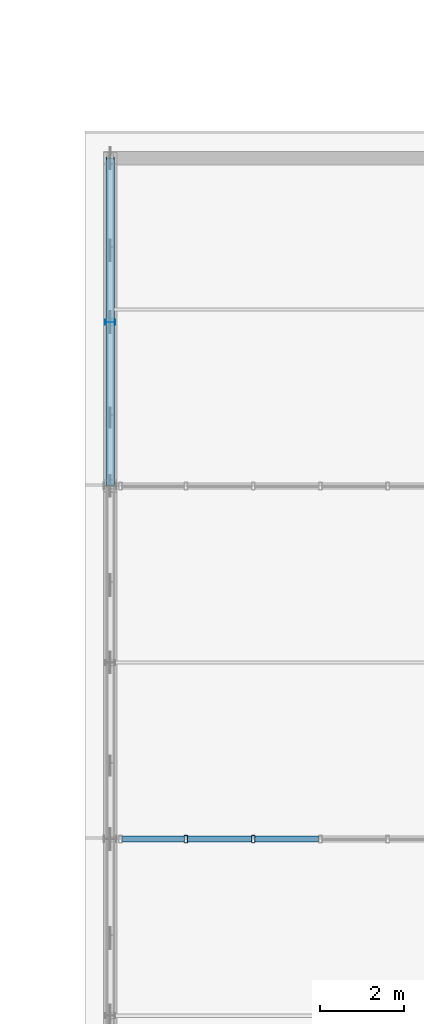
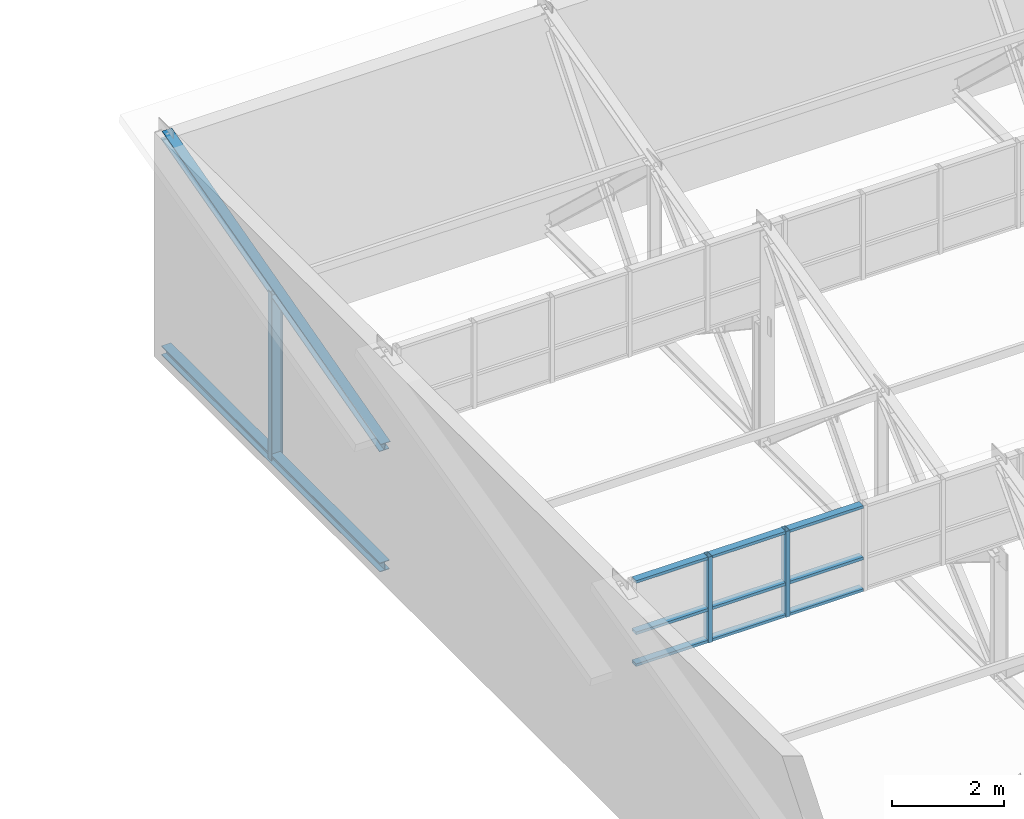
# One storey, part 71 of 123: 14 members, 1 element without a shape of its own.
"""IFC4 building model written with IfcOpenShell, lengths in metres."""

from ifc_helpers import new_model, si_unit, direction, frame, origin, origin_2d, place, context, subcontext, project, spatial, hollow_rectangle, i_section, extrude, material, layer, layer_set, material_profile, profile_set, type_object, element, aggregate, save


model = new_model("IFC4")

# Units and contexts
model_context = context("Model", 3, precision=1e-05, world=origin(), true_north=direction((0.0, 1.0)))
body_context = subcontext(model_context, "Body", "Model", "MODEL_VIEW")
ifc_project = project(units=[si_unit("LENGTHUNIT", "METRE"), si_unit("AREAUNIT", "SQUARE_METRE"), si_unit("VOLUMEUNIT", "CUBIC_METRE"), si_unit("PLANEANGLEUNIT", "RADIAN"), si_unit("MASSUNIT", "GRAM", prefix="KILO")], contexts=[model_context])

# Site, building, storey
site_placement = place(None, origin())
site = spatial("IfcSite", under=ifc_project, at=site_placement, CompositionType="ELEMENT")
building_placement = place(site_placement, origin())
building = spatial("IfcBuilding", under=site, at=building_placement, Name="Zayran Congress Hotel", CompositionType="ELEMENT")
storey_placement = place(building_placement, frame((0.0, 0.0, 15.0)))
storey = spatial("IfcBuildingStorey", under=building, at=storey_placement, Name="L03", CompositionType="ELEMENT", Elevation=15.0)

# Members
ifc_material_1 = material(Name="Steel S355", Category="steel")
ifc_material_profile_1 = material_profile(ifc_material_1, i_section(OverallWidth=0.199951171875, OverallDepth=0.199951171875, WebThickness=0.009033203125, FlangeThickness=0.014892578125, at=origin_2d()), Name="HEB 200")
ifc_profile_set_1 = profile_set([ifc_material_profile_1], Name="Steel S355")
member_type_1 = type_object("IfcMemberType", Name="TP-TR-CH2", PredefinedType="CHORD", material=ifc_profile_set_1)
member_1_placement = place(storey_placement, frame((151.800048828125, 34.0, 0.0), z_axis=(0.0, 1.0, 0.0), x_axis=(-1.0, 0.0, 0.0)))
element("IfcMember", 1, at=member_1_placement, inside=storey, type_object=member_type_1, Name="Sawtooth Truss Bottom Chord 682", PredefinedType="CHORD", context=body_context, shape_type="SweptSolid", body=[
    extrude(i_section(OverallWidth=0.199951171875, OverallDepth=0.199951171875, WebThickness=0.009033203125, FlangeThickness=0.014892578125, at=origin_2d()), origin(), (0.0, 0.0, 1.0), 7.800048828125),
])
member_2_placement = place(storey_placement, frame((151.800048828125, 34.0, 2.60009765625), z_axis=(0.0, 0.96579502769, 0.259306699663), x_axis=(-1.0, 0.0, 0.0)))
element("IfcMember", 2, at=member_2_placement, inside=storey, type_object=member_type_1, Name="Sawtooth Truss Top Chord 683", PredefinedType="CHORD", context=body_context, shape_type="SweptSolid", body=[
    extrude(i_section(OverallWidth=0.199951171875, OverallDepth=0.199951171875, WebThickness=0.009033203125, FlangeThickness=0.014892578125, at=origin_2d()), origin(), (0.0, 0.0, 1.0), 8.076416015625),
])
ifc_material_profile_2 = material_profile(ifc_material_1, i_section(OverallWidth=0.1201171875, OverallDepth=0.239990234375, WebThickness=0.006103515625, FlangeThickness=0.009765625, at=origin_2d()), Name="IPE 240")
ifc_profile_set_2 = profile_set([ifc_material_profile_2], Name="Steel S355")
member_type_2 = type_object("IfcMemberType", Name="TP-TR-BR2", PredefinedType="BRACE", material=ifc_profile_set_2)
member_3_placement = place(storey_placement, frame((151.800048828125, 37.89990234375, 0.0), z_axis=(0.0, 0.0, 1.0), x_axis=(0.0, 1.0, 0.0)))
element("IfcMember", 3, at=member_3_placement, inside=storey, type_object=member_type_2, Name="TRV-01 Sawtooth Truss Strut", PredefinedType="BRACE", context=body_context, shape_type="SweptSolid", body=[
    extrude(i_section(OverallWidth=0.1201171875, OverallDepth=0.239990234375, WebThickness=0.006103515625, FlangeThickness=0.009765625, at=origin_2d()), origin(), (0.0, 0.0, 1.0), 3.647216796875),
])

# Curtain wall, members
ifc_material_2 = material(Name="Anodised aluminium and low-E insulated glass", Category="aluminium")
ifc_layer = layer(ifc_material_2, 0.179931640625)
ifc_layer_set = layer_set([ifc_layer], Name="Anodised aluminium and low-E insulated glass")
curtain_wall_type = type_object("IfcCurtainWallType", Name="CW-V3SAW-L03-CW-V31-32000-1870", PredefinedType="USERDEFINED", material=ifc_layer_set)
curtain_wall_placement = place(storey_placement, origin())
curtain_wall = element("IfcCurtainWall", 4, at=curtain_wall_placement, inside=storey, type_object=curtain_wall_type, Name="CW-V3SAW-2", ObjectType="CURTAIN WALL", PredefinedType="USERDEFINED")
ifc_material_3 = material(Name="Anodised aluminium framing", Category="aluminium")
ifc_material_profile_3 = material_profile(ifc_material_3, hollow_rectangle(XDim=0.080078125, YDim=0.179931640625, WallThickness=0.0048828125, at=origin_2d()), Name="RHS 180x80x5")
ifc_profile_set_3 = profile_set([ifc_material_profile_3], Name="Anodised aluminium framing")
member_type_3 = type_object("IfcMemberType", Name="TP-CWM-01", PredefinedType="MULLION", material=ifc_profile_set_3)
member_4_placement = place(storey_placement, frame((155.199951171875, 25.60009765625, 2.85009765625), z_axis=(0.0, 0.0, 1.0), x_axis=(1.0, 0.0, 0.0)))
member_4 = element("IfcMember", 5, at=member_4_placement, type_object=member_type_3, Name="CW-V3SAW-2-M18", PredefinedType="MULLION", context=body_context, shape_type="SweptSolid", body=[
    extrude(hollow_rectangle(XDim=0.080078125, YDim=0.179931640625, WallThickness=0.0048828125, at=origin_2d()), origin(), (0.0, 0.0, 1.0), 1.869873046875),
])
member_5_placement = place(storey_placement, frame((153.60009765625, 25.60009765625, 2.85009765625), z_axis=(0.0, 0.0, 1.0), x_axis=(1.0, 0.0, 0.0)))
member_5 = element("IfcMember", 6, at=member_5_placement, type_object=member_type_3, Name="CW-V3SAW-2-M19", PredefinedType="MULLION", context=body_context, shape_type="SweptSolid", body=[
    extrude(hollow_rectangle(XDim=0.080078125, YDim=0.179931640625, WallThickness=0.0048828125, at=origin_2d()), origin(), (0.0, 0.0, 1.0), 1.869873046875),
])
ifc_material_profile_4 = material_profile(ifc_material_3, hollow_rectangle(XDim=0.06005859375, YDim=0.14990234375, WallThickness=0.00390625, at=origin_2d()), Name="RHS 150x60x4")
ifc_profile_set_4 = profile_set([ifc_material_profile_4], Name="Anodised aluminium framing")
member_type_4 = type_object("IfcMemberType", Name="TP-CWT-01", PredefinedType="USERDEFINED", material=ifc_profile_set_4)
member_6_placement = place(storey_placement, frame((156.760009765625, 25.60009765625, 2.8798828125), z_axis=(-1.0, 0.0, 0.0), x_axis=(0.0, 0.0, 1.0)))
member_6 = element("IfcMember", 7, at=member_6_placement, type_object=member_type_4, Name="CW-V3SAW-2-T17-0", ObjectType="TRANSOM", PredefinedType="USERDEFINED", context=body_context, shape_type="SweptSolid", body=[
    extrude(hollow_rectangle(XDim=0.06005859375, YDim=0.14990234375, WallThickness=0.00390625, at=origin_2d()), origin(), (0.0, 0.0, 1.0), 1.52001953125),
])
member_7_placement = place(storey_placement, frame((156.760009765625, 25.60009765625, 3.570068359375), z_axis=(-1.0, 0.0, 0.0), x_axis=(0.0, 0.0, 1.0)))
member_7 = element("IfcMember", 8, at=member_7_placement, type_object=member_type_4, Name="CW-V3SAW-2-T17-1", ObjectType="TRANSOM", PredefinedType="USERDEFINED", context=body_context, shape_type="SweptSolid", body=[
    extrude(hollow_rectangle(XDim=0.06005859375, YDim=0.14990234375, WallThickness=0.00390625, at=origin_2d()), origin(), (0.0, 0.0, 1.0), 1.52001953125),
])
member_8_placement = place(storey_placement, frame((156.760009765625, 25.60009765625, 4.68994140625), z_axis=(-1.0, 0.0, 0.0), x_axis=(0.0, 0.0, 1.0)))
member_8 = element("IfcMember", 9, at=member_8_placement, type_object=member_type_4, Name="CW-V3SAW-2-T17-2", ObjectType="TRANSOM", PredefinedType="USERDEFINED", context=body_context, shape_type="SweptSolid", body=[
    extrude(hollow_rectangle(XDim=0.06005859375, YDim=0.14990234375, WallThickness=0.00390625, at=origin_2d()), origin(), (0.0, 0.0, 1.0), 1.52001953125),
])
member_9_placement = place(storey_placement, frame((155.159912109375, 25.60009765625, 2.8798828125), z_axis=(-1.0, 0.0, 0.0), x_axis=(0.0, 0.0, 1.0)))
member_9 = element("IfcMember", 10, at=member_9_placement, type_object=member_type_4, Name="CW-V3SAW-2-T18-0", ObjectType="TRANSOM", PredefinedType="USERDEFINED", context=body_context, shape_type="SweptSolid", body=[
    extrude(hollow_rectangle(XDim=0.06005859375, YDim=0.14990234375, WallThickness=0.00390625, at=origin_2d()), origin(), (0.0, 0.0, 1.0), 1.52001953125),
])
member_10_placement = place(storey_placement, frame((155.159912109375, 25.60009765625, 3.570068359375), z_axis=(-1.0, 0.0, 0.0), x_axis=(0.0, 0.0, 1.0)))
member_10 = element("IfcMember", 11, at=member_10_placement, type_object=member_type_4, Name="CW-V3SAW-2-T18-1", ObjectType="TRANSOM", PredefinedType="USERDEFINED", context=body_context, shape_type="SweptSolid", body=[
    extrude(hollow_rectangle(XDim=0.06005859375, YDim=0.14990234375, WallThickness=0.00390625, at=origin_2d()), origin(), (0.0, 0.0, 1.0), 1.52001953125),
])
member_11_placement = place(storey_placement, frame((155.159912109375, 25.60009765625, 4.68994140625), z_axis=(-1.0, 0.0, 0.0), x_axis=(0.0, 0.0, 1.0)))
member_11 = element("IfcMember", 12, at=member_11_placement, type_object=member_type_4, Name="CW-V3SAW-2-T18-2", ObjectType="TRANSOM", PredefinedType="USERDEFINED", context=body_context, shape_type="SweptSolid", body=[
    extrude(hollow_rectangle(XDim=0.06005859375, YDim=0.14990234375, WallThickness=0.00390625, at=origin_2d()), origin(), (0.0, 0.0, 1.0), 1.52001953125),
])
member_12_placement = place(storey_placement, frame((153.56005859375, 25.60009765625, 2.8798828125), z_axis=(-1.0, 0.0, 0.0), x_axis=(0.0, 0.0, 1.0)))
member_12 = element("IfcMember", 13, at=member_12_placement, type_object=member_type_4, Name="CW-V3SAW-2-T19-0", ObjectType="TRANSOM", PredefinedType="USERDEFINED", context=body_context, shape_type="SweptSolid", body=[
    extrude(hollow_rectangle(XDim=0.06005859375, YDim=0.14990234375, WallThickness=0.00390625, at=origin_2d()), origin(), (0.0, 0.0, 1.0), 1.47998046875),
])
member_13_placement = place(storey_placement, frame((153.56005859375, 25.60009765625, 3.570068359375), z_axis=(-1.0, 0.0, 0.0), x_axis=(0.0, 0.0, 1.0)))
member_13 = element("IfcMember", 14, at=member_13_placement, type_object=member_type_4, Name="CW-V3SAW-2-T19-1", ObjectType="TRANSOM", PredefinedType="USERDEFINED", context=body_context, shape_type="SweptSolid", body=[
    extrude(hollow_rectangle(XDim=0.06005859375, YDim=0.14990234375, WallThickness=0.00390625, at=origin_2d()), origin(), (0.0, 0.0, 1.0), 1.47998046875),
])
member_14_placement = place(storey_placement, frame((153.56005859375, 25.60009765625, 4.68994140625), z_axis=(-1.0, 0.0, 0.0), x_axis=(0.0, 0.0, 1.0)))
member_14 = element("IfcMember", 15, at=member_14_placement, type_object=member_type_4, Name="CW-V3SAW-2-T19-2", ObjectType="TRANSOM", PredefinedType="USERDEFINED", context=body_context, shape_type="SweptSolid", body=[
    extrude(hollow_rectangle(XDim=0.06005859375, YDim=0.14990234375, WallThickness=0.00390625, at=origin_2d()), origin(), (0.0, 0.0, 1.0), 1.47998046875),
])
aggregate(curtain_wall, [member_4, member_5, member_6, member_7, member_8, member_9, member_10, member_11, member_12, member_13, member_14])

save(model, "model.ifc")
